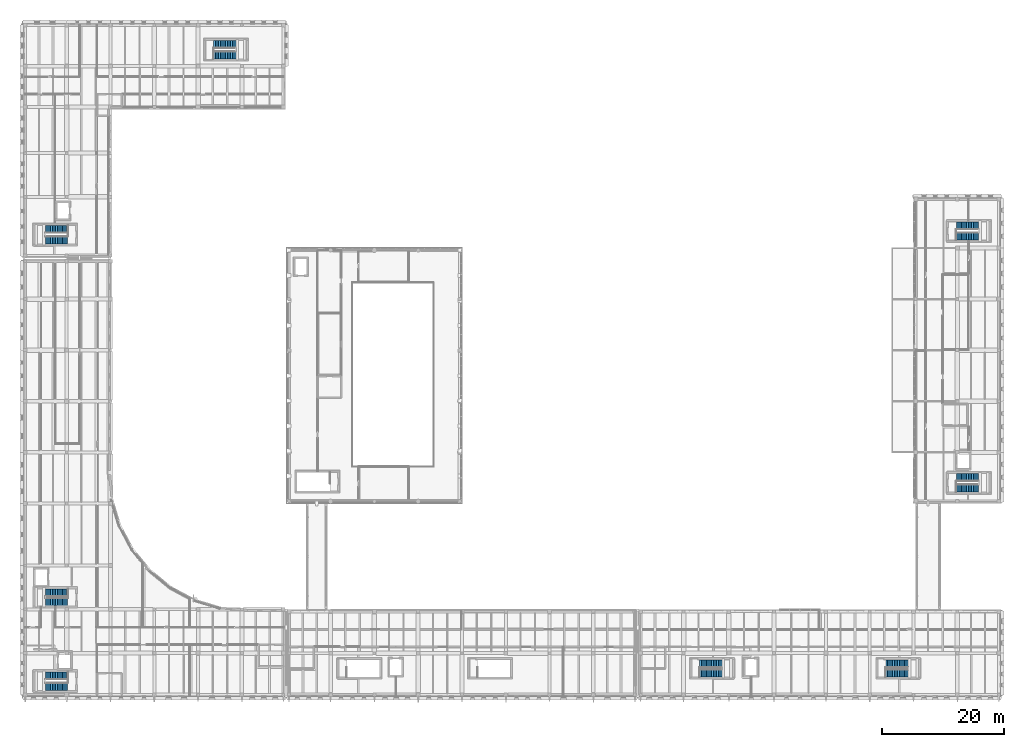
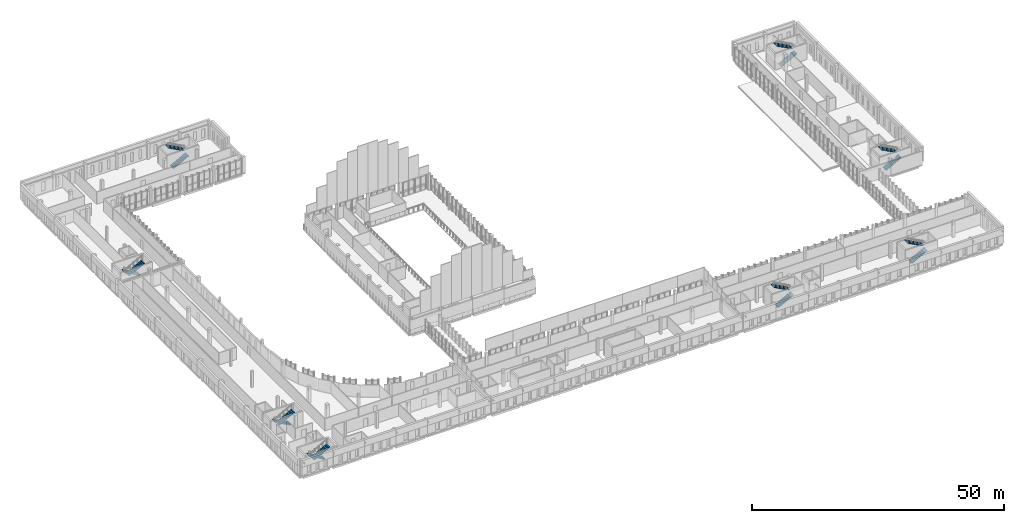
# One storey, part 64 of 76: 16 stair flights, 8 elements without a shape of their own.
"""IFC4 building model written with IfcOpenShell, lengths in metres."""

from ifc_helpers import new_model, si_unit, direction, frame, origin, place, context, subcontext, project, spatial, polyline, outline, extrude, material, type_object, element, aggregate, save


model = new_model("IFC4")

# Units and contexts
model_context = context("Model", 3, precision=1e-05, world=origin(), true_north=direction((0.0, 1.0)))
body_context = subcontext(model_context, "Body", "Model", "MODEL_VIEW")
ifc_project = project(units=[si_unit("LENGTHUNIT", "METRE"), si_unit("AREAUNIT", "SQUARE_METRE"), si_unit("VOLUMEUNIT", "CUBIC_METRE"), si_unit("PLANEANGLEUNIT", "RADIAN"), si_unit("MASSUNIT", "GRAM", prefix="KILO")], contexts=[model_context])

# Site, building, storey
site_placement = place(None, origin())
site = spatial("IfcSite", under=ifc_project, at=site_placement, CompositionType="ELEMENT")
building_placement = place(site_placement, origin())
building = spatial("IfcBuilding", under=site, at=building_placement, Name="Vardoun Plaza Health Centre", CompositionType="ELEMENT")
storey_placement = place(building_placement, frame((0.0, 0.0, 4.5)))
storey = spatial("IfcBuildingStorey", under=building, at=storey_placement, Name="L01", CompositionType="ELEMENT", Elevation=4.5)

# Stair, stair flights
ifc_material_1 = material(Name="Concrete C35/45", Category="concrete")
stair_type = type_object("IfcStairType", Name="ST-01", PredefinedType="HALF_TURN_STAIR", material=ifc_material_1)
stair_1_placement = place(storey_placement, origin())
stair_1 = element("IfcStair", 1, at=stair_1_placement, inside=storey, type_object=stair_type, Name="Core C1 L01 Exit Stair ST-C1-L01", PredefinedType="HALF_TURN_STAIR")
ifc_material_2 = material(Name="Concrete C35/45", Category="concrete")
stair_flight_type = type_object("IfcStairFlightType", Name="SF-01", PredefinedType="STRAIGHT", material=ifc_material_2)
stair_flight_1_placement = place(storey_placement, frame((11.85009765625, 7.97998046875, 0.0), z_axis=(0.0, 0.0, 1.0), x_axis=(-1.0, 0.0, 0.0)))
stair_flight_1 = element("IfcStairFlight", 2, at=stair_flight_1_placement, type_object=stair_flight_type, Name="ST-C1-L01 flight 1", NumberOfRisers=14, NumberOfTreads=13, PredefinedType="STRAIGHT", RiserHeight=0.15, TreadLength=0.28, context=body_context, shape_type="SweptSolid", body=[
    extrude(outline(polyline([(0.0, 0.0), (0.0, 0.14990234375), (0.280029296875, 0.14990234375), (0.280029296875, 0.300048828125), (0.56005859375, 0.300048828125), (0.56005859375, 0.449951171875), (0.840087890625, 0.449951171875), (0.840087890625, 0.60009765625), (1.1201171875, 0.60009765625), (1.1201171875, 0.75), (1.39990234375, 0.75), (1.39990234375, 0.89990234375), (1.679931640625, 0.89990234375), (1.679931640625, 1.050048828125), (1.9599609375, 1.050048828125), (1.9599609375, 1.199951171875), (2.239990234375, 1.199951171875), (2.239990234375, 1.35009765625), (2.52001953125, 1.35009765625), (2.52001953125, 1.5), (2.800048828125, 1.5), (2.800048828125, 1.64990234375), (3.080078125, 1.64990234375), (3.080078125, 1.800048828125), (3.360107421875, 1.800048828125), (3.360107421875, 1.949951171875), (3.639892578125, 1.949951171875), (3.639892578125, 2.10009765625), (3.639892578125, 1.780029296875), (0.3173828125, 0.0), (0.0, 0.0)])), frame((0.0, 0.625, 0.0), z_axis=(0.0, -1.0, 0.0), x_axis=(1.0, 0.0, 0.0)), (0.0, 0.0, 1.0), 1.25),
])
stair_flight_2_placement = place(storey_placement, frame((8.2099609375, 6.219970703125, 2.10009765625), z_axis=(0.0, 0.0, 1.0), x_axis=(1.0, 0.0, 0.0)))
stair_flight_2 = element("IfcStairFlight", 3, at=stair_flight_2_placement, type_object=stair_flight_type, Name="ST-C1-L01 flight 2", NumberOfRisers=14, NumberOfTreads=13, PredefinedType="STRAIGHT", RiserHeight=0.15, TreadLength=0.28, context=body_context, shape_type="SweptSolid", body=[
    extrude(outline(polyline([(0.0, 0.0), (0.0, 0.14990234375), (0.280029296875, 0.14990234375), (0.280029296875, 0.300048828125), (0.56005859375, 0.300048828125), (0.56005859375, 0.449951171875), (0.840087890625, 0.449951171875), (0.840087890625, 0.60009765625), (1.1201171875, 0.60009765625), (1.1201171875, 0.75), (1.39990234375, 0.75), (1.39990234375, 0.89990234375), (1.679931640625, 0.89990234375), (1.679931640625, 1.050048828125), (1.9599609375, 1.050048828125), (1.9599609375, 1.199951171875), (2.239990234375, 1.199951171875), (2.239990234375, 1.35009765625), (2.52001953125, 1.35009765625), (2.52001953125, 1.5), (2.800048828125, 1.5), (2.800048828125, 1.64990234375), (3.080078125, 1.64990234375), (3.080078125, 1.800048828125), (3.360107421875, 1.800048828125), (3.360107421875, 1.949951171875), (3.639892578125, 1.949951171875), (3.639892578125, 2.10009765625), (3.639892578125, 1.780029296875), (0.3173828125, 0.0), (0.0, 0.0)])), frame((0.0, 0.625, 0.0), z_axis=(0.0, -1.0, 0.0), x_axis=(1.0, 0.0, 0.0)), (0.0, 0.0, 1.0), 1.25),
])
aggregate(stair_1, [stair_flight_1, stair_flight_2])

stair_2_placement = place(storey_placement, origin())
stair_2 = element("IfcStair", 4, at=stair_2_placement, inside=storey, type_object=stair_type, Name="Core C10 L01 Exit Stair ST-C10-L01", PredefinedType="HALF_TURN_STAIR")
stair_flight_3_placement = place(storey_placement, frame((157.949951171875, 38.820068359375, 0.0), z_axis=(0.0, 0.0, 1.0), x_axis=(1.0, 0.0, 0.0)))
stair_flight_3 = element("IfcStairFlight", 5, at=stair_flight_3_placement, type_object=stair_flight_type, Name="ST-C10-L01 flight 1", NumberOfRisers=14, NumberOfTreads=13, PredefinedType="STRAIGHT", RiserHeight=0.15, TreadLength=0.28, context=body_context, shape_type="SweptSolid", body=[
    extrude(outline(polyline([(0.0, 0.0), (0.0, 0.14990234375), (0.280029296875, 0.14990234375), (0.280029296875, 0.300048828125), (0.56005859375, 0.300048828125), (0.56005859375, 0.449951171875), (0.840087890625, 0.449951171875), (0.840087890625, 0.60009765625), (1.1201171875, 0.60009765625), (1.1201171875, 0.75), (1.39990234375, 0.75), (1.39990234375, 0.89990234375), (1.679931640625, 0.89990234375), (1.679931640625, 1.050048828125), (1.9599609375, 1.050048828125), (1.9599609375, 1.199951171875), (2.239990234375, 1.199951171875), (2.239990234375, 1.35009765625), (2.52001953125, 1.35009765625), (2.52001953125, 1.5), (2.800048828125, 1.5), (2.800048828125, 1.64990234375), (3.080078125, 1.64990234375), (3.080078125, 1.800048828125), (3.360107421875, 1.800048828125), (3.360107421875, 1.949951171875), (3.639892578125, 1.949951171875), (3.639892578125, 2.10009765625), (3.639892578125, 1.780029296875), (0.3173828125, 0.0), (0.0, 0.0)])), frame((0.0, 0.625, 0.0), z_axis=(0.0, -1.0, 0.0), x_axis=(1.0, 0.0, 0.0)), (0.0, 0.0, 1.0), 1.25),
])
stair_flight_4_placement = place(storey_placement, frame((161.590087890625, 40.580078125, 2.10009765625), z_axis=(0.0, 0.0, 1.0), x_axis=(-1.0, 0.0, 0.0)))
stair_flight_4 = element("IfcStairFlight", 6, at=stair_flight_4_placement, type_object=stair_flight_type, Name="ST-C10-L01 flight 2", NumberOfRisers=14, NumberOfTreads=13, PredefinedType="STRAIGHT", RiserHeight=0.15, TreadLength=0.28, context=body_context, shape_type="SweptSolid", body=[
    extrude(outline(polyline([(0.0, 0.0), (0.0, 0.14990234375), (0.280029296875, 0.14990234375), (0.280029296875, 0.300048828125), (0.56005859375, 0.300048828125), (0.56005859375, 0.449951171875), (0.840087890625, 0.449951171875), (0.840087890625, 0.60009765625), (1.1201171875, 0.60009765625), (1.1201171875, 0.75), (1.39990234375, 0.75), (1.39990234375, 0.89990234375), (1.679931640625, 0.89990234375), (1.679931640625, 1.050048828125), (1.9599609375, 1.050048828125), (1.9599609375, 1.199951171875), (2.239990234375, 1.199951171875), (2.239990234375, 1.35009765625), (2.52001953125, 1.35009765625), (2.52001953125, 1.5), (2.800048828125, 1.5), (2.800048828125, 1.64990234375), (3.080078125, 1.64990234375), (3.080078125, 1.800048828125), (3.360107421875, 1.800048828125), (3.360107421875, 1.949951171875), (3.639892578125, 1.949951171875), (3.639892578125, 2.10009765625), (3.639892578125, 1.780029296875), (0.3173828125, 0.0), (0.0, 0.0)])), frame((0.0, 0.625, 0.0), z_axis=(0.0, -1.0, 0.0), x_axis=(1.0, 0.0, 0.0)), (0.0, 0.0, 1.0), 1.25),
])
aggregate(stair_2, [stair_flight_3, stair_flight_4])

stair_3_placement = place(storey_placement, origin())
stair_3 = element("IfcStair", 7, at=stair_3_placement, inside=storey, type_object=stair_type, Name="Core C11 L01 Exit Stair ST-C11-L01", PredefinedType="HALF_TURN_STAIR")
stair_flight_5_placement = place(storey_placement, frame((157.949951171875, 80.219970703125, 0.0), z_axis=(0.0, 0.0, 1.0), x_axis=(1.0, 0.0, 0.0)))
stair_flight_5 = element("IfcStairFlight", 8, at=stair_flight_5_placement, type_object=stair_flight_type, Name="ST-C11-L01 flight 1", NumberOfRisers=14, NumberOfTreads=13, PredefinedType="STRAIGHT", RiserHeight=0.15, TreadLength=0.28, context=body_context, shape_type="SweptSolid", body=[
    extrude(outline(polyline([(0.0, 0.0), (0.0, 0.14990234375), (0.280029296875, 0.14990234375), (0.280029296875, 0.300048828125), (0.56005859375, 0.300048828125), (0.56005859375, 0.449951171875), (0.840087890625, 0.449951171875), (0.840087890625, 0.60009765625), (1.1201171875, 0.60009765625), (1.1201171875, 0.75), (1.39990234375, 0.75), (1.39990234375, 0.89990234375), (1.679931640625, 0.89990234375), (1.679931640625, 1.050048828125), (1.9599609375, 1.050048828125), (1.9599609375, 1.199951171875), (2.239990234375, 1.199951171875), (2.239990234375, 1.35009765625), (2.52001953125, 1.35009765625), (2.52001953125, 1.5), (2.800048828125, 1.5), (2.800048828125, 1.64990234375), (3.080078125, 1.64990234375), (3.080078125, 1.800048828125), (3.360107421875, 1.800048828125), (3.360107421875, 1.949951171875), (3.639892578125, 1.949951171875), (3.639892578125, 2.10009765625), (3.639892578125, 1.780029296875), (0.3173828125, 0.0), (0.0, 0.0)])), frame((0.0, 0.625, 0.0), z_axis=(0.0, -1.0, 0.0), x_axis=(1.0, 0.0, 0.0)), (0.0, 0.0, 1.0), 1.25),
])
stair_flight_6_placement = place(storey_placement, frame((161.590087890625, 81.97998046875, 2.10009765625), z_axis=(0.0, 0.0, 1.0), x_axis=(-1.0, 0.0, 0.0)))
stair_flight_6 = element("IfcStairFlight", 9, at=stair_flight_6_placement, type_object=stair_flight_type, Name="ST-C11-L01 flight 2", NumberOfRisers=14, NumberOfTreads=13, PredefinedType="STRAIGHT", RiserHeight=0.15, TreadLength=0.28, context=body_context, shape_type="SweptSolid", body=[
    extrude(outline(polyline([(0.0, 0.0), (0.0, 0.14990234375), (0.280029296875, 0.14990234375), (0.280029296875, 0.300048828125), (0.56005859375, 0.300048828125), (0.56005859375, 0.449951171875), (0.840087890625, 0.449951171875), (0.840087890625, 0.60009765625), (1.1201171875, 0.60009765625), (1.1201171875, 0.75), (1.39990234375, 0.75), (1.39990234375, 0.89990234375), (1.679931640625, 0.89990234375), (1.679931640625, 1.050048828125), (1.9599609375, 1.050048828125), (1.9599609375, 1.199951171875), (2.239990234375, 1.199951171875), (2.239990234375, 1.35009765625), (2.52001953125, 1.35009765625), (2.52001953125, 1.5), (2.800048828125, 1.5), (2.800048828125, 1.64990234375), (3.080078125, 1.64990234375), (3.080078125, 1.800048828125), (3.360107421875, 1.800048828125), (3.360107421875, 1.949951171875), (3.639892578125, 1.949951171875), (3.639892578125, 2.10009765625), (3.639892578125, 1.780029296875), (0.3173828125, 0.0), (0.0, 0.0)])), frame((0.0, 0.625, 0.0), z_axis=(0.0, -1.0, 0.0), x_axis=(1.0, 0.0, 0.0)), (0.0, 0.0, 1.0), 1.25),
])
aggregate(stair_3, [stair_flight_5, stair_flight_6])

stair_4_placement = place(storey_placement, origin())
stair_4 = element("IfcStair", 10, at=stair_4_placement, inside=storey, type_object=stair_type, Name="Core C2 L01 Exit Stair ST-C2-L01", PredefinedType="HALF_TURN_STAIR")
stair_flight_7_placement = place(storey_placement, frame((11.85009765625, 21.6298828125, 0.0), z_axis=(0.0, 0.0, 1.0), x_axis=(-1.0, 0.0, 0.0)))
stair_flight_7 = element("IfcStairFlight", 11, at=stair_flight_7_placement, type_object=stair_flight_type, Name="ST-C2-L01 flight 1", NumberOfRisers=14, NumberOfTreads=13, PredefinedType="STRAIGHT", RiserHeight=0.15, TreadLength=0.28, context=body_context, shape_type="SweptSolid", body=[
    extrude(outline(polyline([(0.0, 0.0), (0.0, 0.14990234375), (0.280029296875, 0.14990234375), (0.280029296875, 0.300048828125), (0.56005859375, 0.300048828125), (0.56005859375, 0.449951171875), (0.840087890625, 0.449951171875), (0.840087890625, 0.60009765625), (1.1201171875, 0.60009765625), (1.1201171875, 0.75), (1.39990234375, 0.75), (1.39990234375, 0.89990234375), (1.679931640625, 0.89990234375), (1.679931640625, 1.050048828125), (1.9599609375, 1.050048828125), (1.9599609375, 1.199951171875), (2.239990234375, 1.199951171875), (2.239990234375, 1.35009765625), (2.52001953125, 1.35009765625), (2.52001953125, 1.5), (2.800048828125, 1.5), (2.800048828125, 1.64990234375), (3.080078125, 1.64990234375), (3.080078125, 1.800048828125), (3.360107421875, 1.800048828125), (3.360107421875, 1.949951171875), (3.639892578125, 1.949951171875), (3.639892578125, 2.10009765625), (3.639892578125, 1.780029296875), (0.3173828125, 0.0), (0.0, 0.0)])), frame((0.0, 0.625, 0.0), z_axis=(0.0, -1.0, 0.0), x_axis=(1.0, 0.0, 0.0)), (0.0, 0.0, 1.0), 1.25),
])
stair_flight_8_placement = place(storey_placement, frame((8.2099609375, 20.1201171875, 2.10009765625), z_axis=(0.0, 0.0, 1.0), x_axis=(1.0, 0.0, 0.0)))
stair_flight_8 = element("IfcStairFlight", 12, at=stair_flight_8_placement, type_object=stair_flight_type, Name="ST-C2-L01 flight 2", NumberOfRisers=14, NumberOfTreads=13, PredefinedType="STRAIGHT", RiserHeight=0.15, TreadLength=0.28, context=body_context, shape_type="SweptSolid", body=[
    extrude(outline(polyline([(0.0, 0.0), (0.0, 0.14990234375), (0.280029296875, 0.14990234375), (0.280029296875, 0.300048828125), (0.56005859375, 0.300048828125), (0.56005859375, 0.449951171875), (0.840087890625, 0.449951171875), (0.840087890625, 0.60009765625), (1.1201171875, 0.60009765625), (1.1201171875, 0.75), (1.39990234375, 0.75), (1.39990234375, 0.89990234375), (1.679931640625, 0.89990234375), (1.679931640625, 1.050048828125), (1.9599609375, 1.050048828125), (1.9599609375, 1.199951171875), (2.239990234375, 1.199951171875), (2.239990234375, 1.35009765625), (2.52001953125, 1.35009765625), (2.52001953125, 1.5), (2.800048828125, 1.5), (2.800048828125, 1.64990234375), (3.080078125, 1.64990234375), (3.080078125, 1.800048828125), (3.360107421875, 1.800048828125), (3.360107421875, 1.949951171875), (3.639892578125, 1.949951171875), (3.639892578125, 2.10009765625), (3.639892578125, 1.780029296875), (0.3173828125, 0.0), (0.0, 0.0)])), frame((0.0, 0.625, 0.0), z_axis=(0.0, -1.0, 0.0), x_axis=(1.0, 0.0, 0.0)), (0.0, 0.0, 1.0), 1.25),
])
aggregate(stair_4, [stair_flight_7, stair_flight_8])

stair_5_placement = place(storey_placement, origin())
stair_5 = element("IfcStair", 13, at=stair_5_placement, inside=storey, type_object=stair_type, Name="Core C3 L01 Exit Stair ST-C3-L01", PredefinedType="HALF_TURN_STAIR")
stair_flight_9_placement = place(storey_placement, frame((11.85009765625, 81.3798828125, 0.0), z_axis=(0.0, 0.0, 1.0), x_axis=(-1.0, 0.0, 0.0)))
stair_flight_9 = element("IfcStairFlight", 14, at=stair_flight_9_placement, type_object=stair_flight_type, Name="ST-C3-L01 flight 1", NumberOfRisers=14, NumberOfTreads=13, PredefinedType="STRAIGHT", RiserHeight=0.15, TreadLength=0.28, context=body_context, shape_type="SweptSolid", body=[
    extrude(outline(polyline([(0.0, 0.0), (0.0, 0.14990234375), (0.280029296875, 0.14990234375), (0.280029296875, 0.300048828125), (0.56005859375, 0.300048828125), (0.56005859375, 0.449951171875), (0.840087890625, 0.449951171875), (0.840087890625, 0.60009765625), (1.1201171875, 0.60009765625), (1.1201171875, 0.75), (1.39990234375, 0.75), (1.39990234375, 0.89990234375), (1.679931640625, 0.89990234375), (1.679931640625, 1.050048828125), (1.9599609375, 1.050048828125), (1.9599609375, 1.199951171875), (2.239990234375, 1.199951171875), (2.239990234375, 1.35009765625), (2.52001953125, 1.35009765625), (2.52001953125, 1.5), (2.800048828125, 1.5), (2.800048828125, 1.64990234375), (3.080078125, 1.64990234375), (3.080078125, 1.800048828125), (3.360107421875, 1.800048828125), (3.360107421875, 1.949951171875), (3.639892578125, 1.949951171875), (3.639892578125, 2.10009765625), (3.639892578125, 1.780029296875), (0.3173828125, 0.0), (0.0, 0.0)])), frame((0.0, 0.625, 0.0), z_axis=(0.0, -1.0, 0.0), x_axis=(1.0, 0.0, 0.0)), (0.0, 0.0, 1.0), 1.25),
])
stair_flight_10_placement = place(storey_placement, frame((8.2099609375, 79.6201171875, 2.10009765625), z_axis=(0.0, 0.0, 1.0), x_axis=(1.0, 0.0, 0.0)))
stair_flight_10 = element("IfcStairFlight", 15, at=stair_flight_10_placement, type_object=stair_flight_type, Name="ST-C3-L01 flight 2", NumberOfRisers=14, NumberOfTreads=13, PredefinedType="STRAIGHT", RiserHeight=0.15, TreadLength=0.28, context=body_context, shape_type="SweptSolid", body=[
    extrude(outline(polyline([(0.0, 0.0), (0.0, 0.14990234375), (0.280029296875, 0.14990234375), (0.280029296875, 0.300048828125), (0.56005859375, 0.300048828125), (0.56005859375, 0.449951171875), (0.840087890625, 0.449951171875), (0.840087890625, 0.60009765625), (1.1201171875, 0.60009765625), (1.1201171875, 0.75), (1.39990234375, 0.75), (1.39990234375, 0.89990234375), (1.679931640625, 0.89990234375), (1.679931640625, 1.050048828125), (1.9599609375, 1.050048828125), (1.9599609375, 1.199951171875), (2.239990234375, 1.199951171875), (2.239990234375, 1.35009765625), (2.52001953125, 1.35009765625), (2.52001953125, 1.5), (2.800048828125, 1.5), (2.800048828125, 1.64990234375), (3.080078125, 1.64990234375), (3.080078125, 1.800048828125), (3.360107421875, 1.800048828125), (3.360107421875, 1.949951171875), (3.639892578125, 1.949951171875), (3.639892578125, 2.10009765625), (3.639892578125, 1.780029296875), (0.3173828125, 0.0), (0.0, 0.0)])), frame((0.0, 0.625, 0.0), z_axis=(0.0, -1.0, 0.0), x_axis=(1.0, 0.0, 0.0)), (0.0, 0.0, 1.0), 1.25),
])
aggregate(stair_5, [stair_flight_9, stair_flight_10])

stair_6_placement = place(storey_placement, origin())
stair_6 = element("IfcStair", 16, at=stair_6_placement, inside=storey, type_object=stair_type, Name="Core C4 L01 Exit Stair ST-C4-L01", PredefinedType="HALF_TURN_STAIR")
stair_flight_11_placement = place(storey_placement, frame((35.85009765625, 110.02001953125, 0.0), z_axis=(0.0, 0.0, 1.0), x_axis=(1.0, 0.0, 0.0)))
stair_flight_11 = element("IfcStairFlight", 17, at=stair_flight_11_placement, type_object=stair_flight_type, Name="ST-C4-L01 flight 1", NumberOfRisers=14, NumberOfTreads=13, PredefinedType="STRAIGHT", RiserHeight=0.15, TreadLength=0.28, context=body_context, shape_type="SweptSolid", body=[
    extrude(outline(polyline([(0.0, 0.0), (0.0, 0.14990234375), (0.280029296875, 0.14990234375), (0.280029296875, 0.300048828125), (0.56005859375, 0.300048828125), (0.56005859375, 0.449951171875), (0.840087890625, 0.449951171875), (0.840087890625, 0.60009765625), (1.1201171875, 0.60009765625), (1.1201171875, 0.75), (1.39990234375, 0.75), (1.39990234375, 0.89990234375), (1.679931640625, 0.89990234375), (1.679931640625, 1.050048828125), (1.9599609375, 1.050048828125), (1.9599609375, 1.199951171875), (2.239990234375, 1.199951171875), (2.239990234375, 1.35009765625), (2.52001953125, 1.35009765625), (2.52001953125, 1.5), (2.800048828125, 1.5), (2.800048828125, 1.64990234375), (3.080078125, 1.64990234375), (3.080078125, 1.800048828125), (3.360107421875, 1.800048828125), (3.360107421875, 1.949951171875), (3.639892578125, 1.949951171875), (3.639892578125, 2.10009765625), (3.639892578125, 1.780029296875), (0.3173828125, 0.0), (0.0, 0.0)])), frame((0.0, 0.625, 0.0), z_axis=(0.0, -1.0, 0.0), x_axis=(1.0, 0.0, 0.0)), (0.0, 0.0, 1.0), 1.25),
])
stair_flight_12_placement = place(storey_placement, frame((39.489990234375, 111.780029296875, 2.10009765625), z_axis=(0.0, 0.0, 1.0), x_axis=(-1.0, 0.0, 0.0)))
stair_flight_12 = element("IfcStairFlight", 18, at=stair_flight_12_placement, type_object=stair_flight_type, Name="ST-C4-L01 flight 2", NumberOfRisers=14, NumberOfTreads=13, PredefinedType="STRAIGHT", RiserHeight=0.15, TreadLength=0.28, context=body_context, shape_type="SweptSolid", body=[
    extrude(outline(polyline([(0.0, 0.0), (0.0, 0.14990234375), (0.280029296875, 0.14990234375), (0.280029296875, 0.300048828125), (0.56005859375, 0.300048828125), (0.56005859375, 0.449951171875), (0.840087890625, 0.449951171875), (0.840087890625, 0.60009765625), (1.1201171875, 0.60009765625), (1.1201171875, 0.75), (1.39990234375, 0.75), (1.39990234375, 0.89990234375), (1.679931640625, 0.89990234375), (1.679931640625, 1.050048828125), (1.9599609375, 1.050048828125), (1.9599609375, 1.199951171875), (2.239990234375, 1.199951171875), (2.239990234375, 1.35009765625), (2.52001953125, 1.35009765625), (2.52001953125, 1.5), (2.800048828125, 1.5), (2.800048828125, 1.64990234375), (3.080078125, 1.64990234375), (3.080078125, 1.800048828125), (3.360107421875, 1.800048828125), (3.360107421875, 1.949951171875), (3.639892578125, 1.949951171875), (3.639892578125, 2.10009765625), (3.639892578125, 1.780029296875), (0.3173828125, 0.0), (0.0, 0.0)])), frame((0.0, 0.625, 0.0), z_axis=(0.0, -1.0, 0.0), x_axis=(1.0, 0.0, 0.0)), (0.0, 0.0, 1.0), 1.25),
])
aggregate(stair_6, [stair_flight_11, stair_flight_12])

stair_7_placement = place(storey_placement, origin())
stair_7 = element("IfcStair", 19, at=stair_7_placement, inside=storey, type_object=stair_type, Name="Core C8 L01 Exit Stair ST-C8-L01", PredefinedType="HALF_TURN_STAIR")
stair_flight_13_placement = place(storey_placement, frame((115.75, 8.419921875, 0.0), z_axis=(0.0, 0.0, 1.0), x_axis=(1.0, 0.0, 0.0)))
stair_flight_13 = element("IfcStairFlight", 20, at=stair_flight_13_placement, type_object=stair_flight_type, Name="ST-C8-L01 flight 1", NumberOfRisers=14, NumberOfTreads=13, PredefinedType="STRAIGHT", RiserHeight=0.15, TreadLength=0.28, context=body_context, shape_type="SweptSolid", body=[
    extrude(outline(polyline([(0.0, 0.0), (0.0, 0.14990234375), (0.280029296875, 0.14990234375), (0.280029296875, 0.300048828125), (0.56005859375, 0.300048828125), (0.56005859375, 0.449951171875), (0.840087890625, 0.449951171875), (0.840087890625, 0.60009765625), (1.1201171875, 0.60009765625), (1.1201171875, 0.75), (1.39990234375, 0.75), (1.39990234375, 0.89990234375), (1.679931640625, 0.89990234375), (1.679931640625, 1.050048828125), (1.9599609375, 1.050048828125), (1.9599609375, 1.199951171875), (2.239990234375, 1.199951171875), (2.239990234375, 1.35009765625), (2.52001953125, 1.35009765625), (2.52001953125, 1.5), (2.800048828125, 1.5), (2.800048828125, 1.64990234375), (3.080078125, 1.64990234375), (3.080078125, 1.800048828125), (3.360107421875, 1.800048828125), (3.360107421875, 1.949951171875), (3.639892578125, 1.949951171875), (3.639892578125, 2.10009765625), (3.639892578125, 1.780029296875), (0.3173828125, 0.0), (0.0, 0.0)])), frame((0.0, 0.625, 0.0), z_axis=(0.0, -1.0, 0.0), x_axis=(1.0, 0.0, 0.0)), (0.0, 0.0, 1.0), 1.25),
])
stair_flight_14_placement = place(storey_placement, frame((119.389892578125, 9.97998046875, 2.10009765625), z_axis=(0.0, 0.0, 1.0), x_axis=(-1.0, 0.0, 0.0)))
stair_flight_14 = element("IfcStairFlight", 21, at=stair_flight_14_placement, type_object=stair_flight_type, Name="ST-C8-L01 flight 2", NumberOfRisers=14, NumberOfTreads=13, PredefinedType="STRAIGHT", RiserHeight=0.15, TreadLength=0.28, context=body_context, shape_type="SweptSolid", body=[
    extrude(outline(polyline([(0.0, 0.0), (0.0, 0.14990234375), (0.280029296875, 0.14990234375), (0.280029296875, 0.300048828125), (0.56005859375, 0.300048828125), (0.56005859375, 0.449951171875), (0.840087890625, 0.449951171875), (0.840087890625, 0.60009765625), (1.1201171875, 0.60009765625), (1.1201171875, 0.75), (1.39990234375, 0.75), (1.39990234375, 0.89990234375), (1.679931640625, 0.89990234375), (1.679931640625, 1.050048828125), (1.9599609375, 1.050048828125), (1.9599609375, 1.199951171875), (2.239990234375, 1.199951171875), (2.239990234375, 1.35009765625), (2.52001953125, 1.35009765625), (2.52001953125, 1.5), (2.800048828125, 1.5), (2.800048828125, 1.64990234375), (3.080078125, 1.64990234375), (3.080078125, 1.800048828125), (3.360107421875, 1.800048828125), (3.360107421875, 1.949951171875), (3.639892578125, 1.949951171875), (3.639892578125, 2.10009765625), (3.639892578125, 1.780029296875), (0.3173828125, 0.0), (0.0, 0.0)])), frame((0.0, 0.625, 0.0), z_axis=(0.0, -1.0, 0.0), x_axis=(1.0, 0.0, 0.0)), (0.0, 0.0, 1.0), 1.25),
])
aggregate(stair_7, [stair_flight_13, stair_flight_14])

stair_8_placement = place(storey_placement, origin())
stair_8 = element("IfcStair", 22, at=stair_8_placement, inside=storey, type_object=stair_type, Name="Core C9 L01 Exit Stair ST-C9-L01", PredefinedType="HALF_TURN_STAIR")
stair_flight_15_placement = place(storey_placement, frame((146.35009765625, 8.419921875, 0.0), z_axis=(0.0, 0.0, 1.0), x_axis=(1.0, 0.0, 0.0)))
stair_flight_15 = element("IfcStairFlight", 23, at=stair_flight_15_placement, type_object=stair_flight_type, Name="ST-C9-L01 flight 1", NumberOfRisers=14, NumberOfTreads=13, PredefinedType="STRAIGHT", RiserHeight=0.15, TreadLength=0.28, context=body_context, shape_type="SweptSolid", body=[
    extrude(outline(polyline([(0.0, 0.0), (0.0, 0.14990234375), (0.280029296875, 0.14990234375), (0.280029296875, 0.300048828125), (0.56005859375, 0.300048828125), (0.56005859375, 0.449951171875), (0.840087890625, 0.449951171875), (0.840087890625, 0.60009765625), (1.1201171875, 0.60009765625), (1.1201171875, 0.75), (1.39990234375, 0.75), (1.39990234375, 0.89990234375), (1.679931640625, 0.89990234375), (1.679931640625, 1.050048828125), (1.9599609375, 1.050048828125), (1.9599609375, 1.199951171875), (2.239990234375, 1.199951171875), (2.239990234375, 1.35009765625), (2.52001953125, 1.35009765625), (2.52001953125, 1.5), (2.800048828125, 1.5), (2.800048828125, 1.64990234375), (3.080078125, 1.64990234375), (3.080078125, 1.800048828125), (3.360107421875, 1.800048828125), (3.360107421875, 1.949951171875), (3.639892578125, 1.949951171875), (3.639892578125, 2.10009765625), (3.639892578125, 1.780029296875), (0.3173828125, 0.0), (0.0, 0.0)])), frame((0.0, 0.625, 0.0), z_axis=(0.0, -1.0, 0.0), x_axis=(1.0, 0.0, 0.0)), (0.0, 0.0, 1.0), 1.25),
])
stair_flight_16_placement = place(storey_placement, frame((149.989990234375, 9.97998046875, 2.10009765625), z_axis=(0.0, 0.0, 1.0), x_axis=(-1.0, 0.0, 0.0)))
stair_flight_16 = element("IfcStairFlight", 24, at=stair_flight_16_placement, type_object=stair_flight_type, Name="ST-C9-L01 flight 2", NumberOfRisers=14, NumberOfTreads=13, PredefinedType="STRAIGHT", RiserHeight=0.15, TreadLength=0.28, context=body_context, shape_type="SweptSolid", body=[
    extrude(outline(polyline([(0.0, 0.0), (0.0, 0.14990234375), (0.280029296875, 0.14990234375), (0.280029296875, 0.300048828125), (0.56005859375, 0.300048828125), (0.56005859375, 0.449951171875), (0.840087890625, 0.449951171875), (0.840087890625, 0.60009765625), (1.1201171875, 0.60009765625), (1.1201171875, 0.75), (1.39990234375, 0.75), (1.39990234375, 0.89990234375), (1.679931640625, 0.89990234375), (1.679931640625, 1.050048828125), (1.9599609375, 1.050048828125), (1.9599609375, 1.199951171875), (2.239990234375, 1.199951171875), (2.239990234375, 1.35009765625), (2.52001953125, 1.35009765625), (2.52001953125, 1.5), (2.800048828125, 1.5), (2.800048828125, 1.64990234375), (3.080078125, 1.64990234375), (3.080078125, 1.800048828125), (3.360107421875, 1.800048828125), (3.360107421875, 1.949951171875), (3.639892578125, 1.949951171875), (3.639892578125, 2.10009765625), (3.639892578125, 1.780029296875), (0.3173828125, 0.0), (0.0, 0.0)])), frame((0.0, 0.625, 0.0), z_axis=(0.0, -1.0, 0.0), x_axis=(1.0, 0.0, 0.0)), (0.0, 0.0, 1.0), 1.25),
])
aggregate(stair_8, [stair_flight_15, stair_flight_16])

save(model, "model.ifc")
